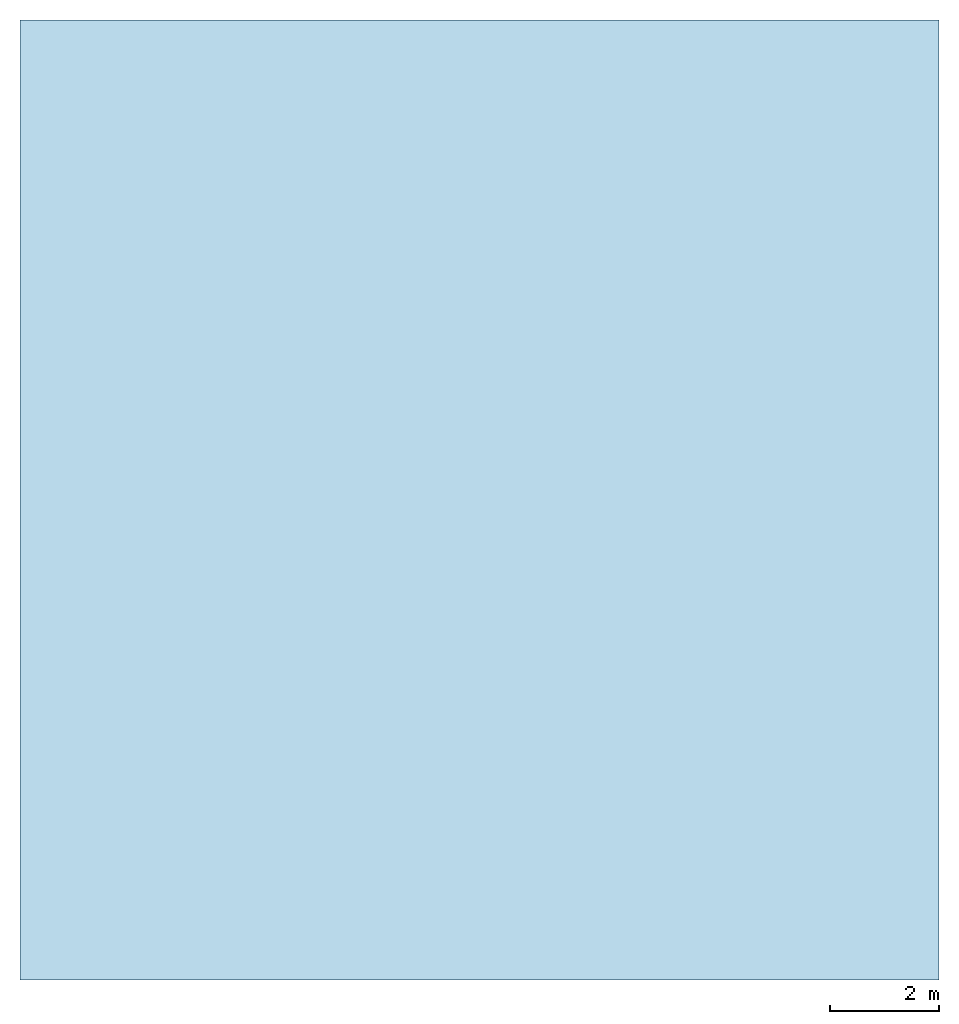
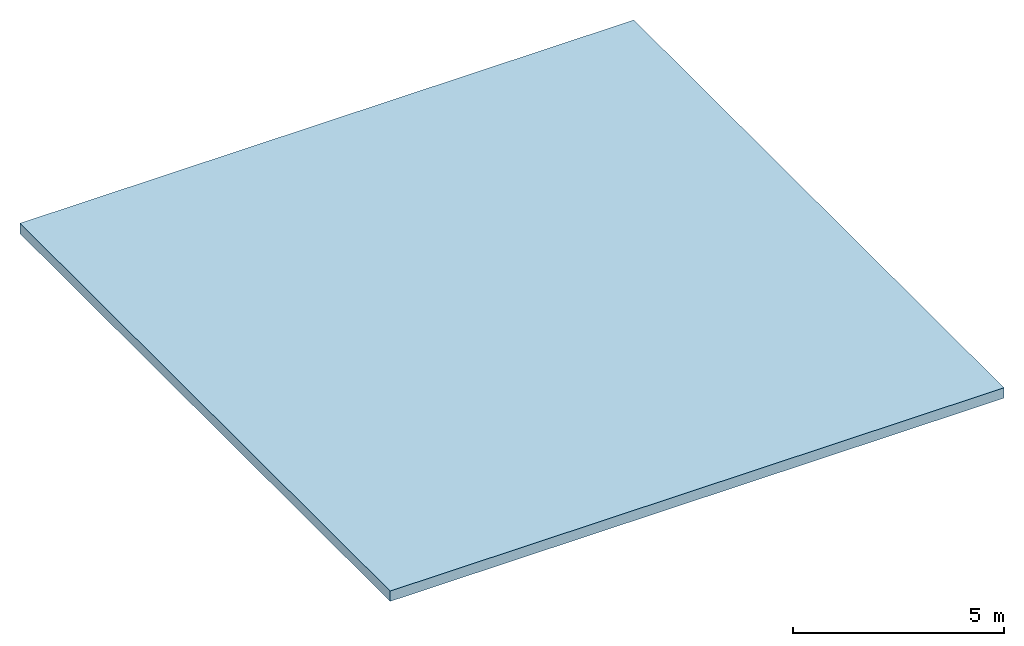
# One storey: 1 slab.
"""IFC4 building model written with IfcOpenShell, lengths in metres."""

from ifc_helpers import new_model, si_unit, direction, frame, origin, place, context, subcontext, project, spatial, polyline, outline, extrude, material, layer, layer_set, type_object, element, save


model = new_model("IFC4")

# Units and contexts
model_context = context("Model", 3, precision=1e-05, world=origin(), true_north=direction((0.0, 1.0)))
body_context = subcontext(model_context, "Body", "Model", "MODEL_VIEW")
ifc_project = project(units=[si_unit("LENGTHUNIT", "METRE"), si_unit("AREAUNIT", "SQUARE_METRE"), si_unit("VOLUMEUNIT", "CUBIC_METRE"), si_unit("PLANEANGLEUNIT", "RADIAN"), si_unit("MASSUNIT", "GRAM", prefix="KILO")], contexts=[model_context])

# Site, building, storey
site_placement = place(None, origin())
site = spatial("IfcSite", under=ifc_project, at=site_placement, CompositionType="ELEMENT")
building_placement = place(site_placement, origin())
building = spatial("IfcBuilding", under=site, at=building_placement, Name="Vermilion Ogive Tower", CompositionType="ELEMENT")
storey_placement = place(building_placement, frame((0.0, 0.0, 309.64990234375)))
storey = spatial("IfcBuildingStorey", under=building, at=storey_placement, Name="RF-HH", CompositionType="ELEMENT", Elevation=309.64990234375)

# Slab
ifc_material = material(Name="Concrete B40", Category="concrete")
ifc_layer = layer(ifc_material, 0.300048828125)
ifc_layer_set = layer_set([ifc_layer], Name="Head-house roof slab 300")
slab_type = type_object("IfcSlabType", Name="Head-house roof slab 300", PredefinedType="ROOF", material=ifc_layer_set)
slab_placement = place(storey_placement, origin())
element("IfcSlab", 1, at=slab_placement, inside=storey, type_object=slab_type, Name="RF-HH-ROOF", PredefinedType="ROOF", context=body_context, shape_type="SweptSolid", body=[
    extrude(outline(polyline([(-8.39990234375, 4.199951171875), (8.39990234375, 4.199951171875), (8.39990234375, 21.75), (-8.39990234375, 21.75), (-8.39990234375, 4.199951171875)])), origin(), (0.0, 0.0, 1.0), 0.300048828125),
])

save(model, "model.ifc")
